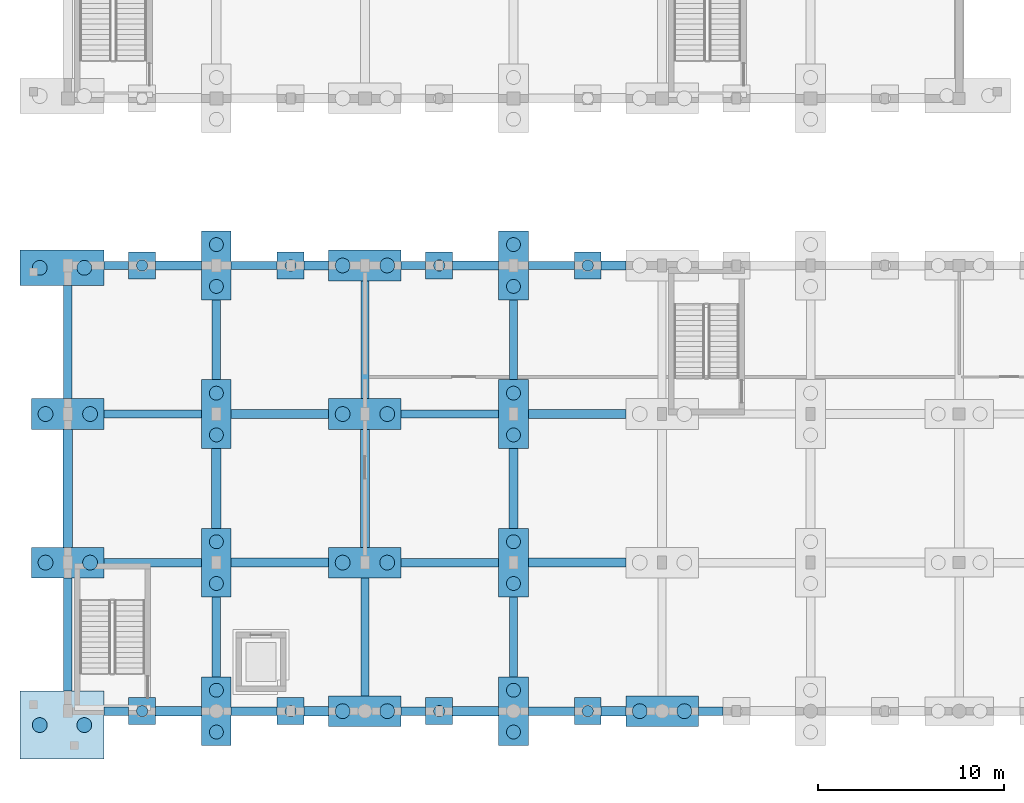
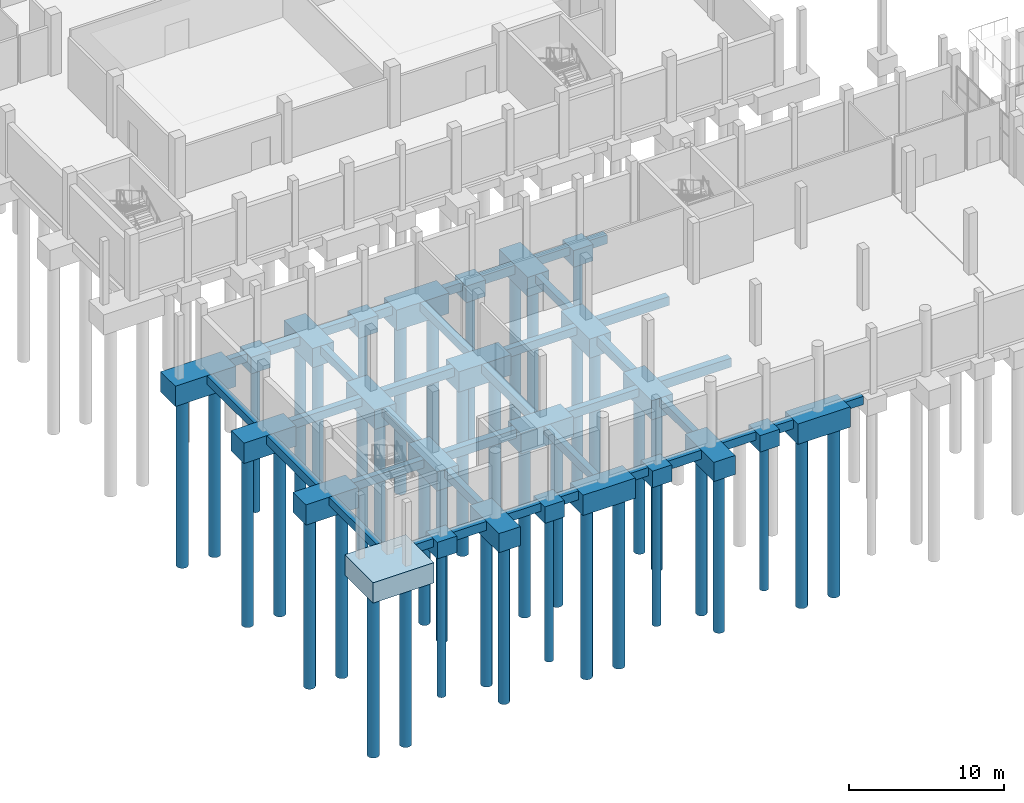
# One storey, part 1 of 52: 62 footings, 42 piles.
"""IFC4 building model written with IfcOpenShell, lengths in metres."""

from ifc_helpers import new_model, si_unit, direction, frame, origin, origin_2d, place, context, subcontext, project, spatial, polyline, rectangle, circle, outline, extrude, material, material_profile, profile_set, type_object, element, save


model = new_model("IFC4")

# Units and contexts
model_context = context("Model", 3, precision=1e-05, world=origin(), true_north=direction((0.0, 1.0)))
body_context = subcontext(model_context, "Body", "Model", "MODEL_VIEW")
ifc_project = project(units=[si_unit("LENGTHUNIT", "METRE"), si_unit("AREAUNIT", "SQUARE_METRE"), si_unit("VOLUMEUNIT", "CUBIC_METRE"), si_unit("PLANEANGLEUNIT", "RADIAN"), si_unit("MASSUNIT", "GRAM", prefix="KILO")], contexts=[model_context])

# Site, building, storey
site_placement = place(None, origin())
site = spatial("IfcSite", under=ifc_project, at=site_placement, CompositionType="ELEMENT")
building_placement = place(site_placement, origin())
building = spatial("IfcBuilding", under=site, at=building_placement, Name="Luwemba Playhouse", CompositionType="ELEMENT")
storey_placement = place(building_placement, frame((0.0, 0.0, -4.800048828125)))
storey = spatial("IfcBuildingStorey", under=building, at=storey_placement, Name="B1", CompositionType="ELEMENT", Elevation=-4.800048828125)

# Footings
ifc_material = material(Name="Concrete C32/40", Category="concrete")
ifc_material_profile_1 = material_profile(ifc_material, rectangle(XDim=0.449951171875, YDim=0.64990234375, at=origin_2d()))
ifc_profile_set_1 = profile_set([ifc_material_profile_1], Name="Concrete C32/40")
footing_type_1 = type_object("IfcFootingType", Name="FTBM-GB1", PredefinedType="FOOTING_BEAM", material=ifc_profile_set_1)
footing_1_placement = place(storey_placement, frame((5.949951171875, 3.0, -0.704833984375), z_axis=(1.0, 0.0, 0.0), x_axis=(0.0, 1.0, 0.0)))
element("IfcFooting", 1, at=footing_1_placement, inside=storey, type_object=footing_type_1, Name="Ground tie-beam 001", PredefinedType="FOOTING_BEAM", context=body_context, shape_type="SweptSolid", body=[
    extrude(rectangle(XDim=0.449951171875, YDim=0.64990234375, at=origin_2d()), origin(), (0.0, 0.0, 1.0), 1.324951171875),
])
footing_2_placement = place(storey_placement, frame((12.800048828125, 3.0, -0.704833984375), z_axis=(1.0, 0.0, 0.0), x_axis=(0.0, 1.0, 0.0)))
element("IfcFooting", 2, at=footing_2_placement, inside=storey, type_object=footing_type_1, Name="Ground tie-beam 003", PredefinedType="FOOTING_BEAM", context=body_context, shape_type="SweptSolid", body=[
    extrude(rectangle(XDim=0.449951171875, YDim=0.64990234375, at=origin_2d()), origin(), (0.0, 0.0, 1.0), 2.474853515625),
])
footing_3_placement = place(storey_placement, frame((21.949951171875, 3.0, -0.704833984375), z_axis=(1.0, 0.0, 0.0), x_axis=(0.0, 1.0, 0.0)))
element("IfcFooting", 3, at=footing_3_placement, inside=storey, type_object=footing_type_1, Name="Ground tie-beam 005", PredefinedType="FOOTING_BEAM", context=body_context, shape_type="SweptSolid", body=[
    extrude(rectangle(XDim=0.449951171875, YDim=0.64990234375, at=origin_2d()), origin(), (0.0, 0.0, 1.0), 1.324951171875),
])
footing_4_placement = place(storey_placement, frame((28.800048828125, 3.0, -0.704833984375), z_axis=(1.0, 0.0, 0.0), x_axis=(0.0, 1.0, 0.0)))
element("IfcFooting", 4, at=footing_4_placement, inside=storey, type_object=footing_type_1, Name="Ground tie-beam 007", PredefinedType="FOOTING_BEAM", context=body_context, shape_type="SweptSolid", body=[
    extrude(rectangle(XDim=0.449951171875, YDim=0.64990234375, at=origin_2d()), origin(), (0.0, 0.0, 1.0), 2.474853515625),
])
footing_5_placement = place(storey_placement, frame((37.949951171875, 3.0, -0.704833984375), z_axis=(1.0, 0.0, 0.0), x_axis=(0.0, 1.0, 0.0)))
element("IfcFooting", 5, at=footing_5_placement, inside=storey, type_object=footing_type_1, Name="Ground tie-beam 009", PredefinedType="FOOTING_BEAM", context=body_context, shape_type="SweptSolid", body=[
    extrude(rectangle(XDim=0.449951171875, YDim=0.64990234375, at=origin_2d()), origin(), (0.0, 0.0, 1.0), 1.324951171875),
])
for number, where, z_axis, x_axis, name in (
    (6, (5.949951171875, 11.0, -0.704833984375), (1.0, 0.0, 0.0), (0.0, 1.0, 0.0), "Ground tie-beam 029"),
    (7, (21.949951171875, 11.0, -0.704833984375), (1.0, 0.0, 0.0), (0.0, 1.0, 0.0), "Ground tie-beam 031"),
    (8, (5.949951171875, 19.0, -0.704833984375), (1.0, 0.0, 0.0), (0.0, 1.0, 0.0), "Ground tie-beam 043"),
    (9, (21.949951171875, 19.0, -0.704833984375), (1.0, 0.0, 0.0), (0.0, 1.0, 0.0), "Ground tie-beam 045"),
):
    element("IfcFooting", number, at=place(storey_placement, frame(where, z_axis=z_axis, x_axis=x_axis)), inside=storey, type_object=footing_type_1, Name=name, PredefinedType="FOOTING_BEAM", context=body_context, shape_type="SweptSolid", body=[
        extrude(rectangle(XDim=0.449951171875, YDim=0.64990234375, at=origin_2d()), origin(), (0.0, 0.0, 1.0), 5.25),
    ])
footing_6_placement = place(storey_placement, frame((5.949951171875, 27.0, -0.704833984375), z_axis=(1.0, 0.0, 0.0), x_axis=(0.0, 1.0, 0.0)))
element("IfcFooting", 10, at=footing_6_placement, inside=storey, type_object=footing_type_1, Name="Ground tie-beam 057", PredefinedType="FOOTING_BEAM", context=body_context, shape_type="SweptSolid", body=[
    extrude(rectangle(XDim=0.449951171875, YDim=0.64990234375, at=origin_2d()), origin(), (0.0, 0.0, 1.0), 1.324951171875),
])
footing_7_placement = place(storey_placement, frame((12.800048828125, 27.0, -0.704833984375), z_axis=(1.0, 0.0, 0.0), x_axis=(0.0, 1.0, 0.0)))
element("IfcFooting", 11, at=footing_7_placement, inside=storey, type_object=footing_type_1, Name="Ground tie-beam 059", PredefinedType="FOOTING_BEAM", context=body_context, shape_type="SweptSolid", body=[
    extrude(rectangle(XDim=0.449951171875, YDim=0.64990234375, at=origin_2d()), origin(), (0.0, 0.0, 1.0), 2.474853515625),
])
footing_8_placement = place(storey_placement, frame((21.949951171875, 27.0, -0.704833984375), z_axis=(1.0, 0.0, 0.0), x_axis=(0.0, 1.0, 0.0)))
element("IfcFooting", 12, at=footing_8_placement, inside=storey, type_object=footing_type_1, Name="Ground tie-beam 061", PredefinedType="FOOTING_BEAM", context=body_context, shape_type="SweptSolid", body=[
    extrude(rectangle(XDim=0.449951171875, YDim=0.64990234375, at=origin_2d()), origin(), (0.0, 0.0, 1.0), 1.324951171875),
])
footing_9_placement = place(storey_placement, frame((28.800048828125, 27.0, -0.704833984375), z_axis=(1.0, 0.0, 0.0), x_axis=(0.0, 1.0, 0.0)))
element("IfcFooting", 13, at=footing_9_placement, inside=storey, type_object=footing_type_1, Name="Ground tie-beam 063", PredefinedType="FOOTING_BEAM", context=body_context, shape_type="SweptSolid", body=[
    extrude(rectangle(XDim=0.449951171875, YDim=0.64990234375, at=origin_2d()), origin(), (0.0, 0.0, 1.0), 2.474853515625),
])
for number, where, z_axis, x_axis, name in (
    (14, (4.0, 4.074951171875, -0.704833984375), (0.0, 1.0, 0.0), (-1.0, 0.0, 0.0), "Ground tie-beam 269"),
    (15, (4.0, 19.824951171875, -0.704833984375), (0.0, 1.0, 0.0), (-1.0, 0.0, 0.0), "Ground tie-beam 271"),
):
    element("IfcFooting", number, at=place(storey_placement, frame(where, z_axis=z_axis, x_axis=x_axis)), inside=storey, type_object=footing_type_1, Name=name, PredefinedType="FOOTING_BEAM", context=body_context, shape_type="SweptSolid", body=[
        extrude(rectangle(XDim=0.449951171875, YDim=0.64990234375, at=origin_2d()), origin(), (0.0, 0.0, 1.0), 6.10009765625),
    ])
for number, where, z_axis, x_axis, name in (
    (16, (12.0, 4.85009765625, -0.704833984375), (0.0, 1.0, 0.0), (-1.0, 0.0, 0.0), "Ground tie-beam 281"),
    (17, (12.0, 20.85009765625, -0.704833984375), (0.0, 1.0, 0.0), (-1.0, 0.0, 0.0), "Ground tie-beam 283"),
):
    element("IfcFooting", number, at=place(storey_placement, frame(where, z_axis=z_axis, x_axis=x_axis)), inside=storey, type_object=footing_type_1, Name=name, PredefinedType="FOOTING_BEAM", context=body_context, shape_type="SweptSolid", body=[
        extrude(rectangle(XDim=0.449951171875, YDim=0.64990234375, at=origin_2d()), origin(), (0.0, 0.0, 1.0), 4.2998046875),
    ])
for number, where, z_axis, x_axis, name in (
    (18, (20.0, 3.824951171875, -0.704833984375), (0.0, 1.0, 0.0), (-1.0, 0.0, 0.0), "Ground tie-beam 293"),
    (19, (20.0, 19.824951171875, -0.704833984375), (0.0, 1.0, 0.0), (-1.0, 0.0, 0.0), "Ground tie-beam 295"),
):
    element("IfcFooting", number, at=place(storey_placement, frame(where, z_axis=z_axis, x_axis=x_axis)), inside=storey, type_object=footing_type_1, Name=name, PredefinedType="FOOTING_BEAM", context=body_context, shape_type="SweptSolid", body=[
        extrude(rectangle(XDim=0.449951171875, YDim=0.64990234375, at=origin_2d()), origin(), (0.0, 0.0, 1.0), 6.35009765625),
    ])
for number, where, z_axis, x_axis, name in (
    (20, (28.0, 4.85009765625, -0.704833984375), (0.0, 1.0, 0.0), (-1.0, 0.0, 0.0), "Ground tie-beam 301"),
    (21, (28.0, 20.85009765625, -0.704833984375), (0.0, 1.0, 0.0), (-1.0, 0.0, 0.0), "Ground tie-beam 303"),
):
    element("IfcFooting", number, at=place(storey_placement, frame(where, z_axis=z_axis, x_axis=x_axis)), inside=storey, type_object=footing_type_1, Name=name, PredefinedType="FOOTING_BEAM", context=body_context, shape_type="SweptSolid", body=[
        extrude(rectangle(XDim=0.449951171875, YDim=0.64990234375, at=origin_2d()), origin(), (0.0, 0.0, 1.0), 4.2998046875),
    ])
ifc_material_profile_2 = material_profile(ifc_material, rectangle(XDim=0.5, YDim=0.699951171875, at=origin_2d()))
ifc_profile_set_2 = profile_set([ifc_material_profile_2], Name="Concrete C32/40")
footing_type_2 = type_object("IfcFootingType", Name="FTBM-GB2", PredefinedType="FOOTING_BEAM", material=ifc_profile_set_2)
footing_10_placement = place(storey_placement, frame((8.72509765625, 3.0, -0.72998046875), z_axis=(1.0, 0.0, 0.0), x_axis=(0.0, 1.0, 0.0)))
element("IfcFooting", 22, at=footing_10_placement, inside=storey, type_object=footing_type_2, Name="Ground tie-beam 002", PredefinedType="FOOTING_BEAM", context=body_context, shape_type="SweptSolid", body=[
    extrude(rectangle(XDim=0.5, YDim=0.699951171875, at=origin_2d()), origin(), (0.0, 0.0, 1.0), 2.474853515625),
])
footing_11_placement = place(storey_placement, frame((16.72509765625, 3.0, -0.72998046875), z_axis=(1.0, 0.0, 0.0), x_axis=(0.0, 1.0, 0.0)))
element("IfcFooting", 23, at=footing_11_placement, inside=storey, type_object=footing_type_2, Name="Ground tie-beam 004", PredefinedType="FOOTING_BEAM", context=body_context, shape_type="SweptSolid", body=[
    extrude(rectangle(XDim=0.5, YDim=0.699951171875, at=origin_2d()), origin(), (0.0, 0.0, 1.0), 1.324951171875),
])
footing_12_placement = place(storey_placement, frame((24.72509765625, 3.0, -0.72998046875), z_axis=(1.0, 0.0, 0.0), x_axis=(0.0, 1.0, 0.0)))
element("IfcFooting", 24, at=footing_12_placement, inside=storey, type_object=footing_type_2, Name="Ground tie-beam 006", PredefinedType="FOOTING_BEAM", context=body_context, shape_type="SweptSolid", body=[
    extrude(rectangle(XDim=0.5, YDim=0.699951171875, at=origin_2d()), origin(), (0.0, 0.0, 1.0), 2.474853515625),
])
footing_13_placement = place(storey_placement, frame((32.72509765625, 3.0, -0.72998046875), z_axis=(1.0, 0.0, 0.0), x_axis=(0.0, 1.0, 0.0)))
element("IfcFooting", 25, at=footing_13_placement, inside=storey, type_object=footing_type_2, Name="Ground tie-beam 008", PredefinedType="FOOTING_BEAM", context=body_context, shape_type="SweptSolid", body=[
    extrude(rectangle(XDim=0.5, YDim=0.699951171875, at=origin_2d()), origin(), (0.0, 0.0, 1.0), 1.324951171875),
])
for number, where, z_axis, x_axis, name in (
    (26, (12.800048828125, 11.0, -0.72998046875), (1.0, 0.0, 0.0), (0.0, 1.0, 0.0), "Ground tie-beam 030"),
    (27, (28.800048828125, 11.0, -0.72998046875), (1.0, 0.0, 0.0), (0.0, 1.0, 0.0), "Ground tie-beam 032"),
    (28, (12.800048828125, 19.0, -0.72998046875), (1.0, 0.0, 0.0), (0.0, 1.0, 0.0), "Ground tie-beam 044"),
    (29, (28.800048828125, 19.0, -0.72998046875), (1.0, 0.0, 0.0), (0.0, 1.0, 0.0), "Ground tie-beam 046"),
):
    element("IfcFooting", number, at=place(storey_placement, frame(where, z_axis=z_axis, x_axis=x_axis)), inside=storey, type_object=footing_type_2, Name=name, PredefinedType="FOOTING_BEAM", context=body_context, shape_type="SweptSolid", body=[
        extrude(rectangle(XDim=0.5, YDim=0.699951171875, at=origin_2d()), origin(), (0.0, 0.0, 1.0), 5.25),
    ])
footing_14_placement = place(storey_placement, frame((8.72509765625, 27.0, -0.72998046875), z_axis=(1.0, 0.0, 0.0), x_axis=(0.0, 1.0, 0.0)))
element("IfcFooting", 30, at=footing_14_placement, inside=storey, type_object=footing_type_2, Name="Ground tie-beam 058", PredefinedType="FOOTING_BEAM", context=body_context, shape_type="SweptSolid", body=[
    extrude(rectangle(XDim=0.5, YDim=0.699951171875, at=origin_2d()), origin(), (0.0, 0.0, 1.0), 2.474853515625),
])
footing_15_placement = place(storey_placement, frame((16.72509765625, 27.0, -0.72998046875), z_axis=(1.0, 0.0, 0.0), x_axis=(0.0, 1.0, 0.0)))
element("IfcFooting", 31, at=footing_15_placement, inside=storey, type_object=footing_type_2, Name="Ground tie-beam 060", PredefinedType="FOOTING_BEAM", context=body_context, shape_type="SweptSolid", body=[
    extrude(rectangle(XDim=0.5, YDim=0.699951171875, at=origin_2d()), origin(), (0.0, 0.0, 1.0), 1.324951171875),
])
footing_16_placement = place(storey_placement, frame((24.72509765625, 27.0, -0.72998046875), z_axis=(1.0, 0.0, 0.0), x_axis=(0.0, 1.0, 0.0)))
element("IfcFooting", 32, at=footing_16_placement, inside=storey, type_object=footing_type_2, Name="Ground tie-beam 062", PredefinedType="FOOTING_BEAM", context=body_context, shape_type="SweptSolid", body=[
    extrude(rectangle(XDim=0.5, YDim=0.699951171875, at=origin_2d()), origin(), (0.0, 0.0, 1.0), 2.474853515625),
])
footing_17_placement = place(storey_placement, frame((32.72509765625, 27.0, -0.72998046875), z_axis=(1.0, 0.0, 0.0), x_axis=(0.0, 1.0, 0.0)))
element("IfcFooting", 33, at=footing_17_placement, inside=storey, type_object=footing_type_2, Name="Ground tie-beam 064", PredefinedType="FOOTING_BEAM", context=body_context, shape_type="SweptSolid", body=[
    extrude(rectangle(XDim=0.5, YDim=0.699951171875, at=origin_2d()), origin(), (0.0, 0.0, 1.0), 1.324951171875),
])
footing_18_placement = place(storey_placement, frame((4.0, 11.824951171875, -0.72998046875), z_axis=(0.0, 1.0, 0.0), x_axis=(-1.0, 0.0, 0.0)))
element("IfcFooting", 34, at=footing_18_placement, inside=storey, type_object=footing_type_2, Name="Ground tie-beam 270", PredefinedType="FOOTING_BEAM", context=body_context, shape_type="SweptSolid", body=[
    extrude(rectangle(XDim=0.5, YDim=0.699951171875, at=origin_2d()), origin(), (0.0, 0.0, 1.0), 6.35009765625),
])
footing_19_placement = place(storey_placement, frame((12.0, 12.85009765625, -0.72998046875), z_axis=(0.0, 1.0, 0.0), x_axis=(-1.0, 0.0, 0.0)))
element("IfcFooting", 35, at=footing_19_placement, inside=storey, type_object=footing_type_2, Name="Ground tie-beam 282", PredefinedType="FOOTING_BEAM", context=body_context, shape_type="SweptSolid", body=[
    extrude(rectangle(XDim=0.5, YDim=0.699951171875, at=origin_2d()), origin(), (0.0, 0.0, 1.0), 4.2998046875),
])
footing_20_placement = place(storey_placement, frame((20.0, 11.824951171875, -0.72998046875), z_axis=(0.0, 1.0, 0.0), x_axis=(-1.0, 0.0, 0.0)))
element("IfcFooting", 36, at=footing_20_placement, inside=storey, type_object=footing_type_2, Name="Ground tie-beam 294", PredefinedType="FOOTING_BEAM", context=body_context, shape_type="SweptSolid", body=[
    extrude(rectangle(XDim=0.5, YDim=0.699951171875, at=origin_2d()), origin(), (0.0, 0.0, 1.0), 6.35009765625),
])
footing_21_placement = place(storey_placement, frame((28.0, 12.85009765625, -0.72998046875), z_axis=(0.0, 1.0, 0.0), x_axis=(-1.0, 0.0, 0.0)))
element("IfcFooting", 37, at=footing_21_placement, inside=storey, type_object=footing_type_2, Name="Ground tie-beam 302", PredefinedType="FOOTING_BEAM", context=body_context, shape_type="SweptSolid", body=[
    extrude(rectangle(XDim=0.5, YDim=0.699951171875, at=origin_2d()), origin(), (0.0, 0.0, 1.0), 4.2998046875),
])
footing_type_3 = type_object("IfcFootingType", Name="FTG-PC01", PredefinedType="PILE_CAP", material=ifc_material)
footing_22_placement = place(storey_placement, frame((0.0, 0.0, -1.97998046875)))
element("IfcFooting", 38, at=footing_22_placement, inside=storey, type_object=footing_type_3, Name="Pile cap 001", PredefinedType="PILE_CAP", context=body_context, shape_type="SweptSolid", body=[
    extrude(outline(polyline([(1.425048828125, 0.425048828125), (5.949951171875, 0.425048828125), (5.949951171875, 4.074951171875), (1.425048828125, 4.074951171875), (1.425048828125, 0.425048828125)])), origin(), (0.0, 0.0, 1.0), 1.60009765625),
])
footing_type_4 = type_object("IfcFootingType", Name="FTG-PC02", PredefinedType="PILE_CAP", material=ifc_material)
footing_23_placement = place(storey_placement, frame((0.0, 0.0, -1.679931640625)))
element("IfcFooting", 39, at=footing_23_placement, inside=storey, type_object=footing_type_4, Name="Pile cap 020", PredefinedType="PILE_CAP", context=body_context, shape_type="SweptSolid", body=[
    extrude(outline(polyline([(7.27490234375, 2.27490234375), (8.72509765625, 2.27490234375), (8.72509765625, 3.72509765625), (7.27490234375, 3.72509765625), (7.27490234375, 2.27490234375)])), origin(), (0.0, 0.0, 1.0), 1.300048828125),
])
footing_24_placement = place(storey_placement, frame((0.0, 0.0, -1.679931640625)))
element("IfcFooting", 40, at=footing_24_placement, inside=storey, type_object=footing_type_4, Name="Pile cap 021", PredefinedType="PILE_CAP", context=body_context, shape_type="SweptSolid", body=[
    extrude(outline(polyline([(15.27490234375, 2.27490234375), (16.72509765625, 2.27490234375), (16.72509765625, 3.72509765625), (15.27490234375, 3.72509765625), (15.27490234375, 2.27490234375)])), origin(), (0.0, 0.0, 1.0), 1.300048828125),
])
footing_25_placement = place(storey_placement, frame((0.0, 0.0, -1.679931640625)))
element("IfcFooting", 41, at=footing_25_placement, inside=storey, type_object=footing_type_4, Name="Pile cap 022", PredefinedType="PILE_CAP", context=body_context, shape_type="SweptSolid", body=[
    extrude(outline(polyline([(23.27490234375, 2.27490234375), (24.72509765625, 2.27490234375), (24.72509765625, 3.72509765625), (23.27490234375, 3.72509765625), (23.27490234375, 2.27490234375)])), origin(), (0.0, 0.0, 1.0), 1.300048828125),
])
footing_26_placement = place(storey_placement, frame((0.0, 0.0, -1.679931640625)))
element("IfcFooting", 42, at=footing_26_placement, inside=storey, type_object=footing_type_4, Name="Pile cap 023", PredefinedType="PILE_CAP", context=body_context, shape_type="SweptSolid", body=[
    extrude(outline(polyline([(31.27490234375, 2.27490234375), (32.72509765625, 2.27490234375), (32.72509765625, 3.72509765625), (31.27490234375, 3.72509765625), (31.27490234375, 2.27490234375)])), origin(), (0.0, 0.0, 1.0), 1.300048828125),
])
footing_27_placement = place(storey_placement, frame((0.0, 0.0, -1.679931640625)))
element("IfcFooting", 43, at=footing_27_placement, inside=storey, type_object=footing_type_4, Name="Pile cap 108", PredefinedType="PILE_CAP", context=body_context, shape_type="SweptSolid", body=[
    extrude(outline(polyline([(7.27490234375, 26.27490234375), (8.72509765625, 26.27490234375), (8.72509765625, 27.72509765625), (7.27490234375, 27.72509765625), (7.27490234375, 26.27490234375)])), origin(), (0.0, 0.0, 1.0), 1.300048828125),
])
footing_28_placement = place(storey_placement, frame((0.0, 0.0, -1.679931640625)))
element("IfcFooting", 44, at=footing_28_placement, inside=storey, type_object=footing_type_4, Name="Pile cap 109", PredefinedType="PILE_CAP", context=body_context, shape_type="SweptSolid", body=[
    extrude(outline(polyline([(15.27490234375, 26.27490234375), (16.72509765625, 26.27490234375), (16.72509765625, 27.72509765625), (15.27490234375, 27.72509765625), (15.27490234375, 26.27490234375)])), origin(), (0.0, 0.0, 1.0), 1.300048828125),
])
footing_29_placement = place(storey_placement, frame((0.0, 0.0, -1.679931640625)))
element("IfcFooting", 45, at=footing_29_placement, inside=storey, type_object=footing_type_4, Name="Pile cap 110", PredefinedType="PILE_CAP", context=body_context, shape_type="SweptSolid", body=[
    extrude(outline(polyline([(23.27490234375, 26.27490234375), (24.72509765625, 26.27490234375), (24.72509765625, 27.72509765625), (23.27490234375, 27.72509765625), (23.27490234375, 26.27490234375)])), origin(), (0.0, 0.0, 1.0), 1.300048828125),
])
footing_30_placement = place(storey_placement, frame((0.0, 0.0, -1.679931640625)))
element("IfcFooting", 46, at=footing_30_placement, inside=storey, type_object=footing_type_4, Name="Pile cap 111", PredefinedType="PILE_CAP", context=body_context, shape_type="SweptSolid", body=[
    extrude(outline(polyline([(31.27490234375, 26.27490234375), (32.72509765625, 26.27490234375), (32.72509765625, 27.72509765625), (31.27490234375, 27.72509765625), (31.27490234375, 26.27490234375)])), origin(), (0.0, 0.0, 1.0), 1.300048828125),
])
footing_type_5 = type_object("IfcFootingType", Name="FTG-PC03", PredefinedType="PILE_CAP", material=ifc_material)
footing_31_placement = place(storey_placement, frame((0.0, 0.0, -1.8798828125)))
element("IfcFooting", 47, at=footing_31_placement, inside=storey, type_object=footing_type_5, Name="Pile cap 005", PredefinedType="PILE_CAP", context=body_context, shape_type="SweptSolid", body=[
    extrude(outline(polyline([(11.199951171875, 1.14990234375), (12.800048828125, 1.14990234375), (12.800048828125, 4.85009765625), (11.199951171875, 4.85009765625), (11.199951171875, 1.14990234375)])), origin(), (0.0, 0.0, 1.0), 1.5),
])
footing_32_placement = place(storey_placement, frame((0.0, 0.0, -1.8798828125)))
element("IfcFooting", 48, at=footing_32_placement, inside=storey, type_object=footing_type_5, Name="Pile cap 006", PredefinedType="PILE_CAP", context=body_context, shape_type="SweptSolid", body=[
    extrude(outline(polyline([(27.199951171875, 1.14990234375), (28.800048828125, 1.14990234375), (28.800048828125, 4.85009765625), (27.199951171875, 4.85009765625), (27.199951171875, 1.14990234375)])), origin(), (0.0, 0.0, 1.0), 1.5),
])
footing_33_placement = place(storey_placement, frame((0.0, 0.0, -1.8798828125)))
element("IfcFooting", 49, at=footing_33_placement, inside=storey, type_object=footing_type_5, Name="Pile cap 046", PredefinedType="PILE_CAP", context=body_context, shape_type="SweptSolid", body=[
    extrude(outline(polyline([(11.199951171875, 9.14990234375), (12.800048828125, 9.14990234375), (12.800048828125, 12.85009765625), (11.199951171875, 12.85009765625), (11.199951171875, 9.14990234375)])), origin(), (0.0, 0.0, 1.0), 1.5),
])
footing_34_placement = place(storey_placement, frame((0.0, 0.0, -1.8798828125)))
element("IfcFooting", 50, at=footing_34_placement, inside=storey, type_object=footing_type_5, Name="Pile cap 047", PredefinedType="PILE_CAP", context=body_context, shape_type="SweptSolid", body=[
    extrude(outline(polyline([(27.199951171875, 9.14990234375), (28.800048828125, 9.14990234375), (28.800048828125, 12.85009765625), (27.199951171875, 12.85009765625), (27.199951171875, 9.14990234375)])), origin(), (0.0, 0.0, 1.0), 1.5),
])
footing_35_placement = place(storey_placement, frame((0.0, 0.0, -1.8798828125)))
element("IfcFooting", 51, at=footing_35_placement, inside=storey, type_object=footing_type_5, Name="Pile cap 064", PredefinedType="PILE_CAP", context=body_context, shape_type="SweptSolid", body=[
    extrude(outline(polyline([(11.199951171875, 17.14990234375), (12.800048828125, 17.14990234375), (12.800048828125, 20.85009765625), (11.199951171875, 20.85009765625), (11.199951171875, 17.14990234375)])), origin(), (0.0, 0.0, 1.0), 1.5),
])
footing_36_placement = place(storey_placement, frame((0.0, 0.0, -1.8798828125)))
element("IfcFooting", 52, at=footing_36_placement, inside=storey, type_object=footing_type_5, Name="Pile cap 065", PredefinedType="PILE_CAP", context=body_context, shape_type="SweptSolid", body=[
    extrude(outline(polyline([(27.199951171875, 17.14990234375), (28.800048828125, 17.14990234375), (28.800048828125, 20.85009765625), (27.199951171875, 20.85009765625), (27.199951171875, 17.14990234375)])), origin(), (0.0, 0.0, 1.0), 1.5),
])
footing_37_placement = place(storey_placement, frame((0.0, 0.0, -1.8798828125)))
element("IfcFooting", 53, at=footing_37_placement, inside=storey, type_object=footing_type_5, Name="Pile cap 090", PredefinedType="PILE_CAP", context=body_context, shape_type="SweptSolid", body=[
    extrude(outline(polyline([(11.199951171875, 25.14990234375), (12.800048828125, 25.14990234375), (12.800048828125, 28.85009765625), (11.199951171875, 28.85009765625), (11.199951171875, 25.14990234375)])), origin(), (0.0, 0.0, 1.0), 1.5),
])
footing_38_placement = place(storey_placement, frame((0.0, 0.0, -1.8798828125)))
element("IfcFooting", 54, at=footing_38_placement, inside=storey, type_object=footing_type_5, Name="Pile cap 091", PredefinedType="PILE_CAP", context=body_context, shape_type="SweptSolid", body=[
    extrude(outline(polyline([(27.199951171875, 25.14990234375), (28.800048828125, 25.14990234375), (28.800048828125, 28.85009765625), (27.199951171875, 28.85009765625), (27.199951171875, 25.14990234375)])), origin(), (0.0, 0.0, 1.0), 1.5),
])
footing_type_6 = type_object("IfcFootingType", Name="FTG-PC04", PredefinedType="PILE_CAP", material=ifc_material)
footing_39_placement = place(storey_placement, frame((0.0, 0.0, -1.97998046875)))
element("IfcFooting", 55, at=footing_39_placement, inside=storey, type_object=footing_type_6, Name="Pile cap 008", PredefinedType="PILE_CAP", context=body_context, shape_type="SweptSolid", body=[
    extrude(outline(polyline([(18.050048828125, 2.175048828125), (21.949951171875, 2.175048828125), (21.949951171875, 3.824951171875), (18.050048828125, 3.824951171875), (18.050048828125, 2.175048828125)])), origin(), (0.0, 0.0, 1.0), 1.60009765625),
])
footing_40_placement = place(storey_placement, frame((0.0, 0.0, -1.97998046875)))
element("IfcFooting", 56, at=footing_40_placement, inside=storey, type_object=footing_type_6, Name="Pile cap 009", PredefinedType="PILE_CAP", context=body_context, shape_type="SweptSolid", body=[
    extrude(outline(polyline([(34.050048828125, 2.175048828125), (37.949951171875, 2.175048828125), (37.949951171875, 3.824951171875), (34.050048828125, 3.824951171875), (34.050048828125, 2.175048828125)])), origin(), (0.0, 0.0, 1.0), 1.60009765625),
])
footing_41_placement = place(storey_placement, frame((0.0, 0.0, -1.97998046875)))
element("IfcFooting", 57, at=footing_41_placement, inside=storey, type_object=footing_type_6, Name="Pile cap 050", PredefinedType="PILE_CAP", context=body_context, shape_type="SweptSolid", body=[
    extrude(outline(polyline([(2.050048828125, 10.175048828125), (5.949951171875, 10.175048828125), (5.949951171875, 11.824951171875), (2.050048828125, 11.824951171875), (2.050048828125, 10.175048828125)])), origin(), (0.0, 0.0, 1.0), 1.60009765625),
])
footing_42_placement = place(storey_placement, frame((0.0, 0.0, -1.97998046875)))
element("IfcFooting", 58, at=footing_42_placement, inside=storey, type_object=footing_type_6, Name="Pile cap 051", PredefinedType="PILE_CAP", context=body_context, shape_type="SweptSolid", body=[
    extrude(outline(polyline([(18.050048828125, 10.175048828125), (21.949951171875, 10.175048828125), (21.949951171875, 11.824951171875), (18.050048828125, 11.824951171875), (18.050048828125, 10.175048828125)])), origin(), (0.0, 0.0, 1.0), 1.60009765625),
])
footing_43_placement = place(storey_placement, frame((0.0, 0.0, -1.97998046875)))
element("IfcFooting", 59, at=footing_43_placement, inside=storey, type_object=footing_type_6, Name="Pile cap 069", PredefinedType="PILE_CAP", context=body_context, shape_type="SweptSolid", body=[
    extrude(outline(polyline([(2.050048828125, 18.175048828125), (5.949951171875, 18.175048828125), (5.949951171875, 19.824951171875), (2.050048828125, 19.824951171875), (2.050048828125, 18.175048828125)])), origin(), (0.0, 0.0, 1.0), 1.60009765625),
])
footing_44_placement = place(storey_placement, frame((0.0, 0.0, -1.97998046875)))
element("IfcFooting", 60, at=footing_44_placement, inside=storey, type_object=footing_type_6, Name="Pile cap 070", PredefinedType="PILE_CAP", context=body_context, shape_type="SweptSolid", body=[
    extrude(outline(polyline([(18.050048828125, 18.175048828125), (21.949951171875, 18.175048828125), (21.949951171875, 19.824951171875), (18.050048828125, 19.824951171875), (18.050048828125, 18.175048828125)])), origin(), (0.0, 0.0, 1.0), 1.60009765625),
])
footing_45_placement = place(storey_placement, frame((0.0, 0.0, -1.97998046875)))
element("IfcFooting", 61, at=footing_45_placement, inside=storey, type_object=footing_type_6, Name="Pile cap 097", PredefinedType="PILE_CAP", context=body_context, shape_type="SweptSolid", body=[
    extrude(outline(polyline([(18.050048828125, 26.175048828125), (21.949951171875, 26.175048828125), (21.949951171875, 27.824951171875), (18.050048828125, 27.824951171875), (18.050048828125, 26.175048828125)])), origin(), (0.0, 0.0, 1.0), 1.60009765625),
])
footing_type_7 = type_object("IfcFootingType", Name="FTG-PC18", PredefinedType="PILE_CAP", material=ifc_material)
footing_46_placement = place(storey_placement, frame((0.0, 0.0, -1.97998046875)))
element("IfcFooting", 62, at=footing_46_placement, inside=storey, type_object=footing_type_7, Name="Pile cap 095", PredefinedType="PILE_CAP", context=body_context, shape_type="SweptSolid", body=[
    extrude(outline(polyline([(1.425048828125, 25.925048828125), (5.949951171875, 25.925048828125), (5.949951171875, 27.824951171875), (1.425048828125, 27.824951171875), (1.425048828125, 25.925048828125)])), origin(), (0.0, 0.0, 1.0), 1.60009765625),
])

# Piles
ifc_material_profile_3 = material_profile(ifc_material, circle(Radius=0.300048828125, at=origin_2d()))
ifc_profile_set_3 = profile_set([ifc_material_profile_3], Name="Concrete C32/40")
pile_type_1 = type_object("IfcPileType", Name="PILE-BP1", PredefinedType="BORED", material=ifc_profile_set_3)
for number, where, z_axis, x_axis, name in (
    (63, (8.0, 3.0, -1.579833984375), (0.0, 0.0, -1.0), (1.0, 0.0, 0.0), "Bored pile 036"),
    (64, (16.0, 3.0, -1.579833984375), (0.0, 0.0, -1.0), (1.0, 0.0, 0.0), "Bored pile 037"),
    (65, (24.0, 3.0, -1.579833984375), (0.0, 0.0, -1.0), (1.0, 0.0, 0.0), "Bored pile 038"),
    (66, (32.0, 3.0, -1.579833984375), (0.0, 0.0, -1.0), (1.0, 0.0, 0.0), "Bored pile 039"),
    (67, (8.0, 27.0, -1.579833984375), (0.0, 0.0, -1.0), (1.0, 0.0, 0.0), "Bored pile 180"),
    (68, (16.0, 27.0, -1.579833984375), (0.0, 0.0, -1.0), (1.0, 0.0, 0.0), "Bored pile 181"),
    (69, (24.0, 27.0, -1.579833984375), (0.0, 0.0, -1.0), (1.0, 0.0, 0.0), "Bored pile 182"),
    (70, (32.0, 27.0, -1.579833984375), (0.0, 0.0, -1.0), (1.0, 0.0, 0.0), "Bored pile 183"),
):
    element("IfcPile", number, at=place(storey_placement, frame(where, z_axis=z_axis, x_axis=x_axis)), inside=storey, type_object=pile_type_1, Name=name, PredefinedType="BORED", context=body_context, shape_type="SweptSolid", body=[
        extrude(circle(Radius=0.300048828125, at=origin_2d()), origin(), (0.0, 0.0, 1.0), 11.5),
    ])
ifc_material_profile_4 = material_profile(ifc_material, circle(Radius=0.375, at=origin_2d()))
ifc_profile_set_4 = profile_set([ifc_material_profile_4], Name="Concrete C32/40")
pile_type_2 = type_object("IfcPileType", Name="PILE-BP2", PredefinedType="BORED", material=ifc_profile_set_4)
for number, where, z_axis, x_axis, name in (
    (71, (12.0, 1.875, -1.780029296875), (0.0, 0.0, -1.0), (1.0, 0.0, 0.0), "Bored pile 006"),
    (72, (12.0, 4.125, -1.780029296875), (0.0, 0.0, -1.0), (1.0, 0.0, 0.0), "Bored pile 007"),
    (73, (28.0, 1.875, -1.780029296875), (0.0, 0.0, -1.0), (1.0, 0.0, 0.0), "Bored pile 008"),
    (74, (28.0, 4.125, -1.780029296875), (0.0, 0.0, -1.0), (1.0, 0.0, 0.0), "Bored pile 009"),
    (75, (12.0, 9.875, -1.780029296875), (0.0, 0.0, -1.0), (1.0, 0.0, 0.0), "Bored pile 064"),
    (76, (12.0, 12.125, -1.780029296875), (0.0, 0.0, -1.0), (1.0, 0.0, 0.0), "Bored pile 065"),
    (77, (28.0, 9.875, -1.780029296875), (0.0, 0.0, -1.0), (1.0, 0.0, 0.0), "Bored pile 066"),
    (78, (28.0, 12.125, -1.780029296875), (0.0, 0.0, -1.0), (1.0, 0.0, 0.0), "Bored pile 067"),
    (79, (12.0, 17.875, -1.780029296875), (0.0, 0.0, -1.0), (1.0, 0.0, 0.0), "Bored pile 098"),
    (80, (12.0, 20.125, -1.780029296875), (0.0, 0.0, -1.0), (1.0, 0.0, 0.0), "Bored pile 099"),
    (81, (28.0, 17.875, -1.780029296875), (0.0, 0.0, -1.0), (1.0, 0.0, 0.0), "Bored pile 100"),
    (82, (28.0, 20.125, -1.780029296875), (0.0, 0.0, -1.0), (1.0, 0.0, 0.0), "Bored pile 101"),
    (83, (12.0, 25.875, -1.780029296875), (0.0, 0.0, -1.0), (1.0, 0.0, 0.0), "Bored pile 146"),
    (84, (12.0, 28.125, -1.780029296875), (0.0, 0.0, -1.0), (1.0, 0.0, 0.0), "Bored pile 147"),
    (85, (28.0, 25.875, -1.780029296875), (0.0, 0.0, -1.0), (1.0, 0.0, 0.0), "Bored pile 148"),
    (86, (28.0, 28.125, -1.780029296875), (0.0, 0.0, -1.0), (1.0, 0.0, 0.0), "Bored pile 149"),
):
    element("IfcPile", number, at=place(storey_placement, frame(where, z_axis=z_axis, x_axis=x_axis)), inside=storey, type_object=pile_type_2, Name=name, PredefinedType="BORED", context=body_context, shape_type="SweptSolid", body=[
        extrude(circle(Radius=0.375, at=origin_2d()), origin(), (0.0, 0.0, 1.0), 12.5),
    ])
ifc_material_profile_5 = material_profile(ifc_material, circle(Radius=0.39990234375, at=origin_2d()))
ifc_profile_set_5 = profile_set([ifc_material_profile_5], Name="Concrete C32/40")
pile_type_3 = type_object("IfcPileType", Name="PILE-BP3", PredefinedType="BORED", material=ifc_profile_set_5)
for number, where, z_axis, x_axis, name in (
    (87, (2.487548828125, 2.25, -1.8798828125), (0.0, 0.0, -1.0), (1.0, 0.0, 0.0), "Bored pile 001"),
    (88, (4.887451171875, 2.25, -1.8798828125), (0.0, 0.0, -1.0), (1.0, 0.0, 0.0), "Bored pile 002"),
    (89, (18.800048828125, 3.0, -1.8798828125), (0.0, 0.0, -1.0), (1.0, 0.0, 0.0), "Bored pile 012"),
    (90, (21.199951171875, 3.0, -1.8798828125), (0.0, 0.0, -1.0), (1.0, 0.0, 0.0), "Bored pile 013"),
    (91, (34.800048828125, 3.0, -1.8798828125), (0.0, 0.0, -1.0), (1.0, 0.0, 0.0), "Bored pile 014"),
    (92, (37.199951171875, 3.0, -1.8798828125), (0.0, 0.0, -1.0), (1.0, 0.0, 0.0), "Bored pile 015"),
    (93, (2.800048828125, 11.0, -1.8798828125), (0.0, 0.0, -1.0), (1.0, 0.0, 0.0), "Bored pile 072"),
    (94, (5.199951171875, 11.0, -1.8798828125), (0.0, 0.0, -1.0), (1.0, 0.0, 0.0), "Bored pile 073"),
    (95, (18.800048828125, 11.0, -1.8798828125), (0.0, 0.0, -1.0), (1.0, 0.0, 0.0), "Bored pile 074"),
    (96, (21.199951171875, 11.0, -1.8798828125), (0.0, 0.0, -1.0), (1.0, 0.0, 0.0), "Bored pile 075"),
    (97, (2.800048828125, 19.0, -1.8798828125), (0.0, 0.0, -1.0), (1.0, 0.0, 0.0), "Bored pile 106"),
    (98, (5.199951171875, 19.0, -1.8798828125), (0.0, 0.0, -1.0), (1.0, 0.0, 0.0), "Bored pile 107"),
    (99, (18.800048828125, 19.0, -1.8798828125), (0.0, 0.0, -1.0), (1.0, 0.0, 0.0), "Bored pile 108"),
    (100, (21.199951171875, 19.0, -1.8798828125), (0.0, 0.0, -1.0), (1.0, 0.0, 0.0), "Bored pile 109"),
    (101, (2.487548828125, 26.875, -1.8798828125), (0.0, 0.0, -1.0), (1.0, 0.0, 0.0), "Bored pile 154"),
    (102, (4.887451171875, 26.875, -1.8798828125), (0.0, 0.0, -1.0), (1.0, 0.0, 0.0), "Bored pile 155"),
    (103, (18.800048828125, 27.0, -1.8798828125), (0.0, 0.0, -1.0), (1.0, 0.0, 0.0), "Bored pile 158"),
    (104, (21.199951171875, 27.0, -1.8798828125), (0.0, 0.0, -1.0), (1.0, 0.0, 0.0), "Bored pile 159"),
):
    element("IfcPile", number, at=place(storey_placement, frame(where, z_axis=z_axis, x_axis=x_axis)), inside=storey, type_object=pile_type_3, Name=name, PredefinedType="BORED", context=body_context, shape_type="SweptSolid", body=[
        extrude(circle(Radius=0.39990234375, at=origin_2d()), origin(), (0.0, 0.0, 1.0), 13.5),
    ])

save(model, "model.ifc")
